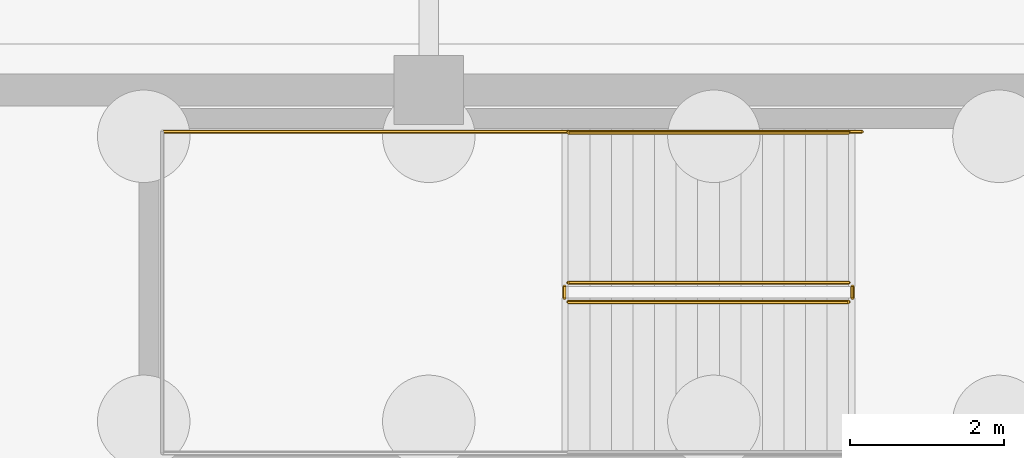
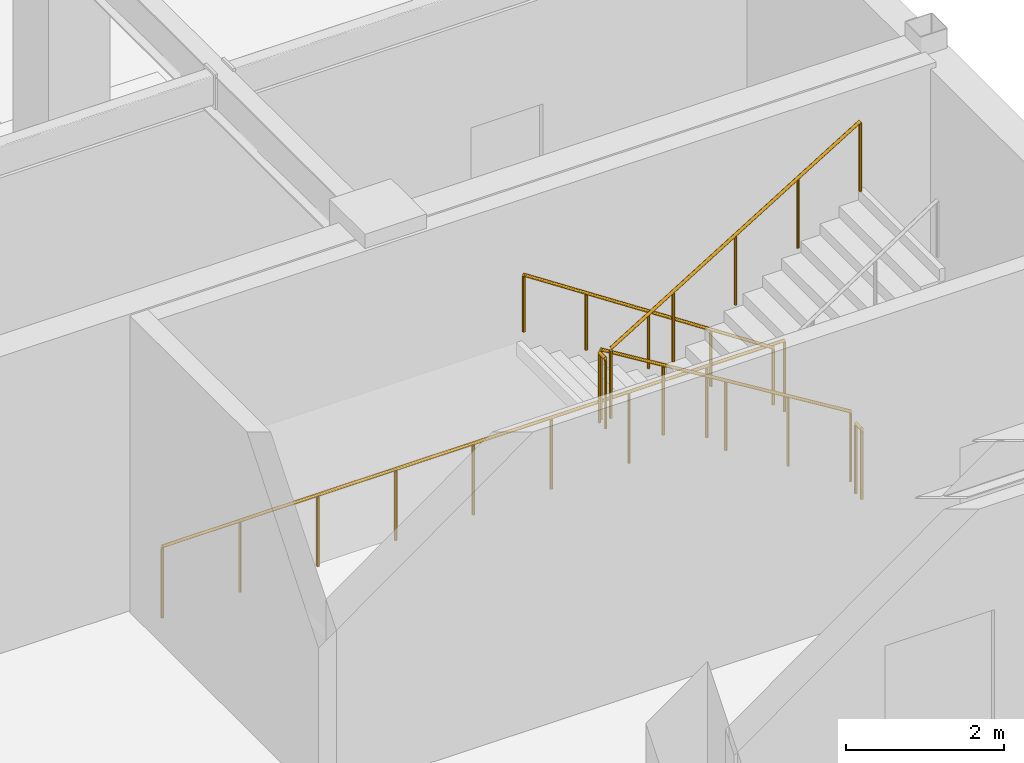
# One storey, part 104 of 105: 6 railings.
"""IFC4 building model written with IfcOpenShell, lengths in metres."""

import ifcopenshell
import ifcopenshell.guid

model = None  # the IFC model being written
_history = None  # IfcOwnerHistory: only IFC2X3 demands one
_inside = {}  # id of a spatial element -> (the spatial element, [elements in it])
_under = {}  # id of a project, library or spatial element -> (it, [spatial elements below it])
_declared = {}  # id of a project -> (the project, [libraries it declares])
_typed = {}  # id of a type object -> (the type object, [elements of that type])
_made_of = {}  # id of a material, layer set ... -> (it, [elements and type objects made of it])


def new_model(schema):
    """Start an empty IFC model of exactly this schema.

    Asked for "IFC4X3", IfcOpenShell would pick the latest addendum, in which some entities
    have other attributes; the version numbers below select the first issue.
    IFC2X3 requires an IfcOwnerHistory on every rooted entity: one is made here for all.
    """
    global model, _history
    if schema == "IFC4X3":
        model = ifcopenshell.file(schema_version=(4, 3, 0, 0))
    else:
        model = ifcopenshell.file(schema=schema)
    _inside.clear()
    _under.clear()
    _declared.clear()
    _typed.clear()
    _made_of.clear()
    _history = None
    if model.schema == "IFC2X3":
        org = make("IfcOrganization", Name="unknown")
        user = make(
            "IfcPersonAndOrganization",
            ThePerson=make("IfcPerson", FamilyName="unknown"),
            TheOrganization=org,
        )
        app = make(
            "IfcApplication",
            ApplicationDeveloper=org,
            Version="unknown",
            ApplicationFullName="unknown",
            ApplicationIdentifier="unknown",
        )
        _history = make(
            "IfcOwnerHistory",
            OwningUser=user,
            OwningApplication=app,
            ChangeAction="ADDED",
            CreationDate=0,
        )
    return model


def make(cls, **values):
    """One entity of the class cls with the attributes given. An attribute that is None is left unset."""
    return model.create_entity(
        cls, **{name: value for name, value in values.items() if value is not None}
    )


def rooted(cls, **values):
    """An entity with a GlobalId (a new one), such as an element, a storey or a relation."""
    return make(cls, GlobalId=ifcopenshell.guid.new(), OwnerHistory=_history, **values)


def si_unit(unit_type, name, prefix=None):
    """IfcSIUnit, for example si_unit("LENGTHUNIT", "METRE", prefix="MILLI")."""
    return make("IfcSIUnit", UnitType=unit_type, Prefix=prefix, Name=name)


def assignment(units):
    """IfcUnitAssignment: the units of a project."""
    return None if units is None else make("IfcUnitAssignment", Units=units)


def point(xyz):
    """IfcCartesianPoint."""
    return None if xyz is None else make("IfcCartesianPoint", Coordinates=xyz)


def direction(xyz):
    """IfcDirection."""
    return None if xyz is None else make("IfcDirection", DirectionRatios=xyz)


def frame(location, z_axis=None, x_axis=None):
    """IfcAxis2Placement3D, a coordinate frame: its origin and axes. An axis left out is left unset."""
    return make(
        "IfcAxis2Placement3D",
        Location=point(location),
        Axis=direction(z_axis),
        RefDirection=direction(x_axis),
    )


def frame_2d(location, x_axis=None):
    """IfcAxis2Placement2D, a coordinate frame in the plane: its origin and x axis."""
    return make(
        "IfcAxis2Placement2D", Location=point(location), RefDirection=direction(x_axis)
    )


def origin():
    """The frame at (0, 0, 0) with its axes left unset."""
    return frame((0.0, 0.0, 0.0))


def origin_2d():
    """The frame at (0, 0) in the plane with its x axis left unset."""
    return frame_2d((0.0, 0.0))


def place(relative_to, where):
    """IfcLocalPlacement: puts the frame where relative to a parent placement (None: the world)."""
    return make(
        "IfcLocalPlacement", PlacementRelTo=relative_to, RelativePlacement=where
    )


def context(
    kind, dimensions, precision=None, world=None, true_north=None, identifier=None
):
    """IfcGeometricRepresentationContext, for example the 3D "Model" context."""
    return make(
        "IfcGeometricRepresentationContext",
        ContextIdentifier=identifier,
        ContextType=kind,
        CoordinateSpaceDimension=dimensions,
        Precision=precision,
        WorldCoordinateSystem=world,
        TrueNorth=true_north,
    )


def subcontext(parent, identifier, kind, view, scale=None):
    """IfcGeometricRepresentationSubContext, for example "Body" below "Model"."""
    return make(
        "IfcGeometricRepresentationSubContext",
        ContextIdentifier=identifier,
        ContextType=kind,
        ParentContext=parent,
        TargetScale=scale,
        TargetView=view,
    )


def project(units=None, contexts=None):
    """IfcProject with its units and contexts."""
    return rooted(
        "IfcProject",
        Name="project",
        RepresentationContexts=contexts,
        UnitsInContext=assignment(units),
    )


def spatial(cls, under=None, at=None, **own):
    """A site, building, storey or space (cls), placed at a placement, below another one or the project."""
    s = rooted(cls, ObjectPlacement=at, **own)
    if under is not None:
        _under.setdefault(under.id(), (under, []))[1].append(s)
    return s


def profile(cls, at=None, kind="AREA", **sizes):
    """A parametric profile (cls). Its sizes go by their IFC names, for example OverallWidth=200.0."""
    return make(cls, ProfileType=kind, Position=at, **sizes)


def circle(**sizes):
    """IfcCircleProfileDef."""
    return profile("IfcCircleProfileDef", **sizes)


def extrude(swept, where, along, depth):
    """IfcExtrudedAreaSolid: the profile swept, set in the frame where, extruded along a direction by depth."""
    return make(
        "IfcExtrudedAreaSolid",
        SweptArea=swept,
        Position=where,
        ExtrudedDirection=direction(along),
        Depth=depth,
    )


def shape(context_of_items, identifier, shape_type, items):
    """IfcShapeRepresentation: the items that make up one representation, for example the "Body"."""
    return make(
        "IfcShapeRepresentation",
        ContextOfItems=context_of_items,
        RepresentationIdentifier=identifier,
        RepresentationType=shape_type,
        Items=items,
    )


def material(Name=None, Category=None):
    """IfcMaterial."""
    return make("IfcMaterial", Name=Name, Category=Category)


def made_of(thing, what):
    """Note that an element or type object is made of a material, layer set ...; save() writes the relation."""
    if what is not None:
        _made_of.setdefault(what.id(), (what, []))[1].append(thing)
    return thing


def type_object(cls, material=None, **own):
    """A type object (cls), such as IfcWallType, which elements share."""
    return made_of(rooted(cls, **own), material)


def element(
    cls,
    number,
    at=None,
    inside=None,
    cuts=None,
    type_object=None,
    material=None,
    context=None,
    identifier="Body",
    shape_type=None,
    held_by="IfcProductDefinitionShape",
    body=None,
    shapes=None,
    **own,
):
    """One element of the class cls, such as IfcWall. Its Tag is "e" and its number.

    at: its placement. inside: the storey or other place that contains it. cuts: it is an
    opening in that element (IfcRelVoidsElement). A single representation is given by context,
    identifier, shape_type and body (its items); several are given by shapes. held_by: the class
    of the entity that holds the representations. save() writes the other relations.
    """
    e = rooted(cls, Tag="e%d" % number, ObjectPlacement=at, **own)
    if body is not None:
        shapes = [shape(context, identifier, shape_type, body)]
    if shapes is not None:
        e.Representation = make(held_by, Representations=shapes)
    if inside is not None:
        _inside.setdefault(inside.id(), (inside, []))[1].append(e)
    if cuts is not None:
        rooted(
            "IfcRelVoidsElement", RelatingBuildingElement=cuts, RelatedOpeningElement=e
        )
    if type_object is not None:
        _typed.setdefault(type_object.id(), (type_object, []))[1].append(e)
    return made_of(e, material)


def aggregate(whole, parts):
    """IfcRelAggregates: a whole, such as a stair, and the parts it consists of."""
    return rooted("IfcRelAggregates", RelatingObject=whole, RelatedObjects=parts)


def save(model, path):
    """Write the relations noted so far, then the file.

    IfcRelAggregates (storeys below a building ...), IfcRelContainedInSpatialStructure (elements
    in a storey), IfcRelDefinesByType, IfcRelAssociatesMaterial and IfcRelDeclares: one each for
    every whole, place, type object, material and project.
    """
    for whole, parts in _under.values():
        aggregate(whole, parts)
    for where, things in _inside.values():
        rooted(
            "IfcRelContainedInSpatialStructure",
            RelatedElements=things,
            RelatingStructure=where,
        )
    for kind, things in _typed.values():
        rooted("IfcRelDefinesByType", RelatedObjects=things, RelatingType=kind)
    for what, things in _made_of.values():
        rooted("IfcRelAssociatesMaterial", RelatedObjects=things, RelatingMaterial=what)
    for by, libraries in _declared.values():
        rooted("IfcRelDeclares", RelatingContext=by, RelatedDefinitions=libraries)
    model.write(path)


model = new_model("IFC4")

# Units and contexts
model_context = context("Model", 3, precision=1e-05, world=origin(), true_north=direction((0.0, 1.0)))
body_context = subcontext(model_context, "Body", "Model", "MODEL_VIEW")
ifc_project = project(units=[si_unit("LENGTHUNIT", "METRE"), si_unit("AREAUNIT", "SQUARE_METRE"), si_unit("VOLUMEUNIT", "CUBIC_METRE"), si_unit("PLANEANGLEUNIT", "RADIAN"), si_unit("MASSUNIT", "GRAM", prefix="KILO")], contexts=[model_context])

# Site, building, storey
site_placement = place(None, origin())
site = spatial("IfcSite", under=ifc_project, at=site_placement, CompositionType="ELEMENT")
building_placement = place(site_placement, origin())
building = spatial("IfcBuilding", under=site, at=building_placement, Name="Solmirada Galleria", CompositionType="ELEMENT")
storey_placement = place(building_placement, frame((0.0, 0.0, -4.800048828125)))
storey = spatial("IfcBuildingStorey", under=building, at=storey_placement, Name="B1", CompositionType="ELEMENT", Elevation=-4.800048828125)

# Railings
ifc_material = material(Name="Painted steel tubular railing", Category="steel")
railing_type_1 = type_object("IfcRailingType", Name="RAIL-STAIR-GUARD", PredefinedType="GUARDRAIL", material=ifc_material)
railing_1_placement = place(storey_placement, frame((173.449951171875, 101.5, 0.17138671875)))
element("IfcRailing", 1, at=railing_1_placement, inside=storey, type_object=railing_type_1, Name="B1 ST4 stair guard 1", PredefinedType="GUARDRAIL", context=body_context, shape_type="SweptSolid", body=[
    extrude(circle(Radius=0.02392578125, at=origin_2d()), frame((0.0, 0.0, 1.076171875), z_axis=(-0.852824790078, 0.0, 0.522197163366), x_axis=(0.0, -1.0, 0.0)), (0.0, 0.0, 1.0), 4.26806640625),
    extrude(circle(Radius=0.02099609375, at=origin_2d()), origin(), (0.0, 0.0, 1.0), 1.048095703125),
    extrude(circle(Radius=0.02099609375, at=origin_2d()), frame((-0.909912109375, 0.0, 0.55712890625)), (0.0, 0.0, 1.0), 1.048095703125),
    extrude(circle(Radius=0.02099609375, at=origin_2d()), frame((-1.81982421875, 0.0, 1.1142578125)), (0.0, 0.0, 1.0), 1.048095703125),
    extrude(circle(Radius=0.02099609375, at=origin_2d()), frame((-2.72998046875, 0.0, 1.671630859375)), (0.0, 0.0, 1.0), 1.048095703125),
    extrude(circle(Radius=0.02099609375, at=origin_2d()), frame((-3.639892578125, 0.0, 2.228759765625)), (0.0, 0.0, 1.0), 1.048095703125),
])
railing_2_placement = place(storey_placement, frame((169.760009765625, 101.449951171875, 2.400146484375)))
element("IfcRailing", 2, at=railing_2_placement, inside=storey, type_object=railing_type_1, Name="B1 ST4 stair guard 2", PredefinedType="GUARDRAIL", context=body_context, shape_type="SweptSolid", body=[
    extrude(circle(Radius=0.02392578125, at=origin_2d()), frame((0.0, 0.0, 1.076171875), z_axis=(0.0, -1.0, 0.0), x_axis=(1.0, 0.0, 0.0)), (0.0, 0.0, 1.0), 0.14990234375),
    extrude(circle(Radius=0.02099609375, at=origin_2d()), origin(), (0.0, 0.0, 1.0), 1.048095703125),
    extrude(circle(Radius=0.02099609375, at=origin_2d()), frame((0.0, -0.14990234375, 0.0)), (0.0, 0.0, 1.0), 1.048095703125),
])
railing_3_placement = place(storey_placement, frame((169.81005859375, 101.25, 2.571533203125)))
element("IfcRailing", 3, at=railing_3_placement, inside=storey, type_object=railing_type_1, Name="B1 ST4 stair guard 3", PredefinedType="GUARDRAIL", context=body_context, shape_type="SweptSolid", body=[
    extrude(circle(Radius=0.02392578125, at=origin_2d()), frame((0.0, 0.0, 1.076171875), z_axis=(0.852850264322, 0.0, 0.5221555579), x_axis=(0.0, 1.0, 0.0)), (0.0, 0.0, 1.0), 4.267822265625),
    extrude(circle(Radius=0.02099609375, at=origin_2d()), origin(), (0.0, 0.0, 1.0), 1.048095703125),
    extrude(circle(Radius=0.02099609375, at=origin_2d()), frame((0.909912109375, 0.0, 0.55712890625)), (0.0, 0.0, 1.0), 1.048095703125),
    extrude(circle(Radius=0.02099609375, at=origin_2d()), frame((1.81982421875, 0.0, 1.1142578125)), (0.0, 0.0, 1.0), 1.048095703125),
    extrude(circle(Radius=0.02099609375, at=origin_2d()), frame((2.72998046875, 0.0, 1.67138671875)), (0.0, 0.0, 1.0), 1.048095703125),
    extrude(circle(Radius=0.02099609375, at=origin_2d()), frame((3.639892578125, 0.0, 2.228515625)), (0.0, 0.0, 1.0), 1.048095703125),
])
railing_4_placement = place(storey_placement, frame((173.5, 101.449951171875, 0.0)))
element("IfcRailing", 4, at=railing_4_placement, inside=storey, type_object=railing_type_1, Name="B1 ST4 stair guard 4", PredefinedType="GUARDRAIL", context=body_context, shape_type="SweptSolid", body=[
    extrude(circle(Radius=0.02392578125, at=origin_2d()), frame((0.0, 0.0, 1.076171875), z_axis=(0.0, -1.0, 0.0), x_axis=(1.0, 0.0, 0.0)), (0.0, 0.0, 1.0), 0.14990234375),
    extrude(circle(Radius=0.02099609375, at=origin_2d()), origin(), (0.0, 0.0, 1.0), 1.048095703125),
    extrude(circle(Radius=0.02099609375, at=origin_2d()), frame((0.0, -0.14990234375, 0.0)), (0.0, 0.0, 1.0), 1.048095703125),
])
railing_5_placement = place(storey_placement, frame((164.5400390625, 103.4599609375, 0.0)))
element("IfcRailing", 5, at=railing_5_placement, inside=storey, type_object=railing_type_1, Name="Stair ST4 well edge guard B1-3", PredefinedType="GUARDRAIL", context=body_context, shape_type="SweptSolid", body=[
    extrude(circle(Radius=0.02392578125, at=origin_2d()), frame((0.0, 0.0, 1.09619140625), z_axis=(1.0, 0.0, 0.0), x_axis=(0.0, 1.0, 0.0)), (0.0, 0.0, 1.0), 9.080078125),
    extrude(circle(Radius=0.02099609375, at=origin_2d()), origin(), (0.0, 0.0, 1.0), 1.068115234375),
    extrude(circle(Radius=0.02099609375, at=origin_2d()), frame((1.135009765625, 0.0, 0.0)), (0.0, 0.0, 1.0), 1.068115234375),
    extrude(circle(Radius=0.02099609375, at=origin_2d()), frame((2.27001953125, 0.0, 0.0)), (0.0, 0.0, 1.0), 1.068115234375),
    extrude(circle(Radius=0.02099609375, at=origin_2d()), frame((3.405029296875, 0.0, 0.0)), (0.0, 0.0, 1.0), 1.068115234375),
    extrude(circle(Radius=0.02099609375, at=origin_2d()), frame((4.5400390625, 0.0, 0.0)), (0.0, 0.0, 1.0), 1.068115234375),
    extrude(circle(Radius=0.02099609375, at=origin_2d()), frame((5.675048828125, 0.0, 0.0)), (0.0, 0.0, 1.0), 1.068115234375),
    extrude(circle(Radius=0.02099609375, at=origin_2d()), frame((6.81005859375, 0.0, 0.0)), (0.0, 0.0, 1.0), 1.068115234375),
    extrude(circle(Radius=0.02099609375, at=origin_2d()), frame((7.945068359375, 0.0, 0.0)), (0.0, 0.0, 1.0), 1.068115234375),
    extrude(circle(Radius=0.02099609375, at=origin_2d()), frame((9.080078125, 0.0, 0.0)), (0.0, 0.0, 1.0), 1.068115234375),
])
railing_type_2 = type_object("IfcRailingType", Name="RAIL-STAIR-HAND", PredefinedType="HANDRAIL", material=ifc_material)
railing_6_placement = place(storey_placement, frame((173.449951171875, 103.449951171875, 0.17138671875)))
element("IfcRailing", 6, at=railing_6_placement, inside=storey, type_object=railing_type_2, Name="B1 ST4 stair handrail 1", PredefinedType="HANDRAIL", context=body_context, shape_type="SweptSolid", body=[
    extrude(circle(Radius=0.02392578125, at=origin_2d()), frame((0.0, 0.0, 0.8759765625), z_axis=(-0.834839479206, 0.0, 0.550493454965), x_axis=(0.0, -1.0, 0.0)), (0.0, 0.0, 1.0), 4.360107421875),
    extrude(circle(Radius=0.02099609375, at=origin_2d()), origin(), (0.0, 0.0, 1.0), 0.847900390625),
    extrude(circle(Radius=0.02099609375, at=origin_2d()), frame((-0.909912109375, 0.0, 0.60009765625)), (0.0, 0.0, 1.0), 0.847900390625),
    extrude(circle(Radius=0.02099609375, at=origin_2d()), frame((-1.81982421875, 0.0, 1.2001953125)), (0.0, 0.0, 1.0), 0.847900390625),
    extrude(circle(Radius=0.02099609375, at=origin_2d()), frame((-2.72998046875, 0.0, 1.800048828125)), (0.0, 0.0, 1.0), 0.847900390625),
    extrude(circle(Radius=0.02099609375, at=origin_2d()), frame((-3.639892578125, 0.0, 2.400146484375)), (0.0, 0.0, 1.0), 0.847900390625),
])

save(model, "model.ifc")
